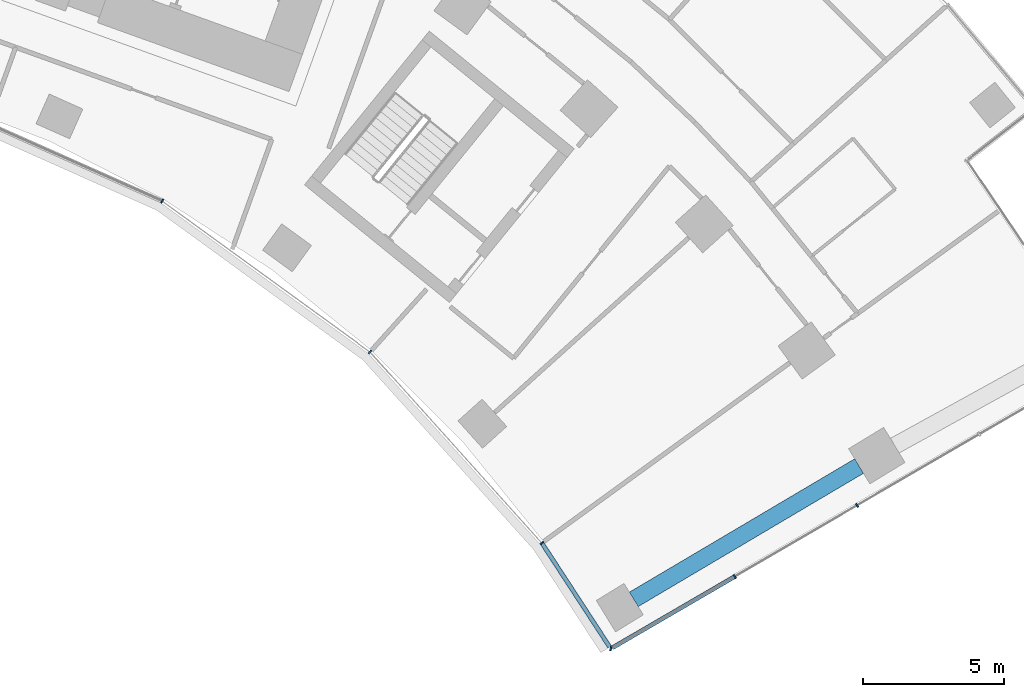
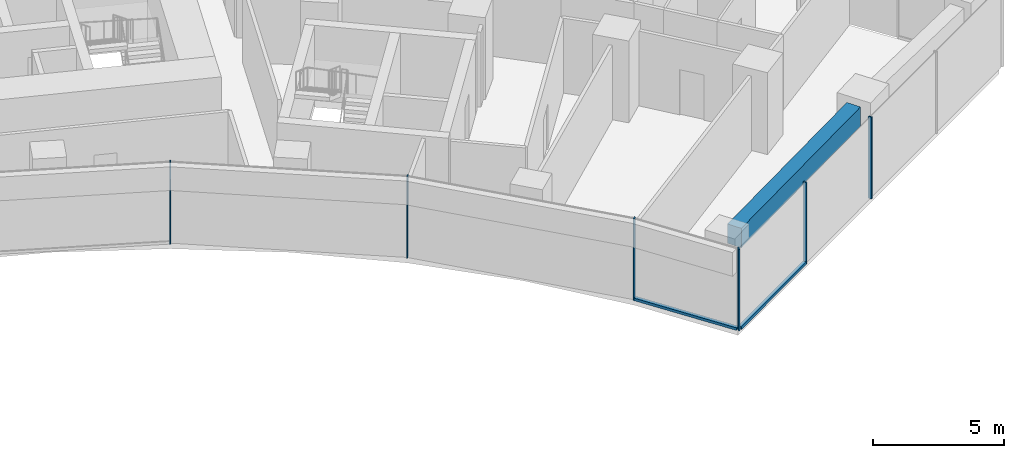
# One storey, part 7 of 20: 8 members, 1 beam, 2 elements without a shape of their own.
"""IFC4 building model written with IfcOpenShell, lengths in metres."""

import ifcopenshell
import ifcopenshell.guid

model = None  # the IFC model being written
_history = None  # IfcOwnerHistory: only IFC2X3 demands one
_inside = {}  # id of a spatial element -> (the spatial element, [elements in it])
_under = {}  # id of a project, library or spatial element -> (it, [spatial elements below it])
_declared = {}  # id of a project -> (the project, [libraries it declares])
_typed = {}  # id of a type object -> (the type object, [elements of that type])
_made_of = {}  # id of a material, layer set ... -> (it, [elements and type objects made of it])


def new_model(schema):
    """Start an empty IFC model of exactly this schema.

    Asked for "IFC4X3", IfcOpenShell would pick the latest addendum, in which some entities
    have other attributes; the version numbers below select the first issue.
    IFC2X3 requires an IfcOwnerHistory on every rooted entity: one is made here for all.
    """
    global model, _history
    if schema == "IFC4X3":
        model = ifcopenshell.file(schema_version=(4, 3, 0, 0))
    else:
        model = ifcopenshell.file(schema=schema)
    _inside.clear()
    _under.clear()
    _declared.clear()
    _typed.clear()
    _made_of.clear()
    _history = None
    if model.schema == "IFC2X3":
        org = make("IfcOrganization", Name="unknown")
        user = make(
            "IfcPersonAndOrganization",
            ThePerson=make("IfcPerson", FamilyName="unknown"),
            TheOrganization=org,
        )
        app = make(
            "IfcApplication",
            ApplicationDeveloper=org,
            Version="unknown",
            ApplicationFullName="unknown",
            ApplicationIdentifier="unknown",
        )
        _history = make(
            "IfcOwnerHistory",
            OwningUser=user,
            OwningApplication=app,
            ChangeAction="ADDED",
            CreationDate=0,
        )
    return model


def make(cls, **values):
    """One entity of the class cls with the attributes given. An attribute that is None is left unset."""
    return model.create_entity(
        cls, **{name: value for name, value in values.items() if value is not None}
    )


def rooted(cls, **values):
    """An entity with a GlobalId (a new one), such as an element, a storey or a relation."""
    return make(cls, GlobalId=ifcopenshell.guid.new(), OwnerHistory=_history, **values)


def si_unit(unit_type, name, prefix=None):
    """IfcSIUnit, for example si_unit("LENGTHUNIT", "METRE", prefix="MILLI")."""
    return make("IfcSIUnit", UnitType=unit_type, Prefix=prefix, Name=name)


def assignment(units):
    """IfcUnitAssignment: the units of a project."""
    return None if units is None else make("IfcUnitAssignment", Units=units)


def point(xyz):
    """IfcCartesianPoint."""
    return None if xyz is None else make("IfcCartesianPoint", Coordinates=xyz)


def direction(xyz):
    """IfcDirection."""
    return None if xyz is None else make("IfcDirection", DirectionRatios=xyz)


def frame(location, z_axis=None, x_axis=None):
    """IfcAxis2Placement3D, a coordinate frame: its origin and axes. An axis left out is left unset."""
    return make(
        "IfcAxis2Placement3D",
        Location=point(location),
        Axis=direction(z_axis),
        RefDirection=direction(x_axis),
    )


def frame_2d(location, x_axis=None):
    """IfcAxis2Placement2D, a coordinate frame in the plane: its origin and x axis."""
    return make(
        "IfcAxis2Placement2D", Location=point(location), RefDirection=direction(x_axis)
    )


def origin():
    """The frame at (0, 0, 0) with its axes left unset."""
    return frame((0.0, 0.0, 0.0))


def origin_2d():
    """The frame at (0, 0) in the plane with its x axis left unset."""
    return frame_2d((0.0, 0.0))


def place(relative_to, where):
    """IfcLocalPlacement: puts the frame where relative to a parent placement (None: the world)."""
    return make(
        "IfcLocalPlacement", PlacementRelTo=relative_to, RelativePlacement=where
    )


def context(
    kind, dimensions, precision=None, world=None, true_north=None, identifier=None
):
    """IfcGeometricRepresentationContext, for example the 3D "Model" context."""
    return make(
        "IfcGeometricRepresentationContext",
        ContextIdentifier=identifier,
        ContextType=kind,
        CoordinateSpaceDimension=dimensions,
        Precision=precision,
        WorldCoordinateSystem=world,
        TrueNorth=true_north,
    )


def subcontext(parent, identifier, kind, view, scale=None):
    """IfcGeometricRepresentationSubContext, for example "Body" below "Model"."""
    return make(
        "IfcGeometricRepresentationSubContext",
        ContextIdentifier=identifier,
        ContextType=kind,
        ParentContext=parent,
        TargetScale=scale,
        TargetView=view,
    )


def project(units=None, contexts=None):
    """IfcProject with its units and contexts."""
    return rooted(
        "IfcProject",
        Name="project",
        RepresentationContexts=contexts,
        UnitsInContext=assignment(units),
    )


def spatial(cls, under=None, at=None, **own):
    """A site, building, storey or space (cls), placed at a placement, below another one or the project."""
    s = rooted(cls, ObjectPlacement=at, **own)
    if under is not None:
        _under.setdefault(under.id(), (under, []))[1].append(s)
    return s


def profile(cls, at=None, kind="AREA", **sizes):
    """A parametric profile (cls). Its sizes go by their IFC names, for example OverallWidth=200.0."""
    return make(cls, ProfileType=kind, Position=at, **sizes)


def rectangle(**sizes):
    """IfcRectangleProfileDef."""
    return profile("IfcRectangleProfileDef", **sizes)


def extrude(swept, where, along, depth):
    """IfcExtrudedAreaSolid: the profile swept, set in the frame where, extruded along a direction by depth."""
    return make(
        "IfcExtrudedAreaSolid",
        SweptArea=swept,
        Position=where,
        ExtrudedDirection=direction(along),
        Depth=depth,
    )


def shape(context_of_items, identifier, shape_type, items):
    """IfcShapeRepresentation: the items that make up one representation, for example the "Body"."""
    return make(
        "IfcShapeRepresentation",
        ContextOfItems=context_of_items,
        RepresentationIdentifier=identifier,
        RepresentationType=shape_type,
        Items=items,
    )


def material(Name=None, Category=None):
    """IfcMaterial."""
    return make("IfcMaterial", Name=Name, Category=Category)


def layer(
    of_material, thickness, ventilated=None, Name=None, Category=None, Priority=None
):
    """IfcMaterialLayer: one layer of a wall or slab, of a material (None: an air gap)."""
    return make(
        "IfcMaterialLayer",
        Material=of_material,
        LayerThickness=thickness,
        IsVentilated=ventilated,
        Name=Name,
        Category=Category,
        Priority=Priority,
    )


def layer_set(layers, Name=None):
    """IfcMaterialLayerSet."""
    return make("IfcMaterialLayerSet", MaterialLayers=layers, LayerSetName=Name)


def material_profile(
    of_material, cross_section, Name=None, Category=None, Priority=None
):
    """IfcMaterialProfile: a cross section and its material."""
    return make(
        "IfcMaterialProfile",
        Name=Name,
        Material=of_material,
        Profile=cross_section,
        Priority=Priority,
        Category=Category,
    )


def profile_set(profiles, Name=None, composite=None):
    """IfcMaterialProfileSet."""
    return make(
        "IfcMaterialProfileSet",
        Name=Name,
        MaterialProfiles=profiles,
        CompositeProfile=composite,
    )


def made_of(thing, what):
    """Note that an element or type object is made of a material, layer set ...; save() writes the relation."""
    if what is not None:
        _made_of.setdefault(what.id(), (what, []))[1].append(thing)
    return thing


def type_object(cls, material=None, **own):
    """A type object (cls), such as IfcWallType, which elements share."""
    return made_of(rooted(cls, **own), material)


def element(
    cls,
    number,
    at=None,
    inside=None,
    cuts=None,
    type_object=None,
    material=None,
    context=None,
    identifier="Body",
    shape_type=None,
    held_by="IfcProductDefinitionShape",
    body=None,
    shapes=None,
    **own,
):
    """One element of the class cls, such as IfcWall. Its Tag is "e" and its number.

    at: its placement. inside: the storey or other place that contains it. cuts: it is an
    opening in that element (IfcRelVoidsElement). A single representation is given by context,
    identifier, shape_type and body (its items); several are given by shapes. held_by: the class
    of the entity that holds the representations. save() writes the other relations.
    """
    e = rooted(cls, Tag="e%d" % number, ObjectPlacement=at, **own)
    if body is not None:
        shapes = [shape(context, identifier, shape_type, body)]
    if shapes is not None:
        e.Representation = make(held_by, Representations=shapes)
    if inside is not None:
        _inside.setdefault(inside.id(), (inside, []))[1].append(e)
    if cuts is not None:
        rooted(
            "IfcRelVoidsElement", RelatingBuildingElement=cuts, RelatedOpeningElement=e
        )
    if type_object is not None:
        _typed.setdefault(type_object.id(), (type_object, []))[1].append(e)
    return made_of(e, material)


def aggregate(whole, parts):
    """IfcRelAggregates: a whole, such as a stair, and the parts it consists of."""
    return rooted("IfcRelAggregates", RelatingObject=whole, RelatedObjects=parts)


def save(model, path):
    """Write the relations noted so far, then the file.

    IfcRelAggregates (storeys below a building ...), IfcRelContainedInSpatialStructure (elements
    in a storey), IfcRelDefinesByType, IfcRelAssociatesMaterial and IfcRelDeclares: one each for
    every whole, place, type object, material and project.
    """
    for whole, parts in _under.values():
        aggregate(whole, parts)
    for where, things in _inside.values():
        rooted(
            "IfcRelContainedInSpatialStructure",
            RelatedElements=things,
            RelatingStructure=where,
        )
    for kind, things in _typed.values():
        rooted("IfcRelDefinesByType", RelatedObjects=things, RelatingType=kind)
    for what, things in _made_of.values():
        rooted("IfcRelAssociatesMaterial", RelatedObjects=things, RelatingMaterial=what)
    for by, libraries in _declared.values():
        rooted("IfcRelDeclares", RelatingContext=by, RelatedDefinitions=libraries)
    model.write(path)


model = new_model("IFC4")

# Units and contexts
model_context = context("Model", 3, precision=1e-05, world=origin(), true_north=direction((0.0, 1.0)))
body_context = subcontext(model_context, "Body", "Model", "MODEL_VIEW")
ifc_project = project(units=[si_unit("LENGTHUNIT", "METRE"), si_unit("AREAUNIT", "SQUARE_METRE"), si_unit("VOLUMEUNIT", "CUBIC_METRE"), si_unit("PLANEANGLEUNIT", "RADIAN"), si_unit("MASSUNIT", "GRAM", prefix="KILO")], contexts=[model_context])

# Site, building, storey
site_placement = place(None, origin())
site = spatial("IfcSite", under=ifc_project, at=site_placement, CompositionType="ELEMENT")
building_placement = place(site_placement, origin())
building = spatial("IfcBuilding", under=site, at=building_placement, Name="Stone Belt Terrace Tower", CompositionType="ELEMENT")
storey_placement = place(building_placement, frame((0.0, 0.0, 106.0)))
storey = spatial("IfcBuildingStorey", under=building, at=storey_placement, Name="L25", CompositionType="ELEMENT", Elevation=106.0)

# Curtain wall, members
ifc_material_1 = material(Name="Aluminium 6063-T6 anodised frame", Category="aluminium")
ifc_layer_1 = layer(ifc_material_1, 0.14990234375)
ifc_layer_set_1 = layer_set([ifc_layer_1], Name="CW-B unitised concave-face curtain wall")
curtain_wall_type_1 = type_object("IfcCurtainWallType", Name="CW-B unitised concave-face curtain wall", PredefinedType="NOTDEFINED", material=ifc_layer_set_1)
curtain_wall_1_placement = place(storey_placement, origin())
curtain_wall_1 = element("IfcCurtainWall", 1, at=curtain_wall_1_placement, inside=storey, type_object=curtain_wall_type_1, Name="CW-B concave face L25", PredefinedType="NOTDEFINED")
ifc_material_profile_1 = material_profile(ifc_material_1, rectangle(XDim=0.14990234375, YDim=0.050048828125, at=origin_2d()), Name="Aluminium 6063-T6 50x150")
ifc_profile_set_1 = profile_set([ifc_material_profile_1], Name="Aluminium 6063-T6 anodised frame")
member_type_1 = type_object("IfcMemberType", Name="CW-B mullion 50 x 150", PredefinedType="MULLION", material=ifc_profile_set_1)
member_1_placement = place(storey_placement, frame((21.71240234375, 37.606689453125, 0.0), z_axis=(0.0, 0.0, 1.0), x_axis=(0.5, 0.866025403784, 0.0)))
member_1 = element("IfcMember", 2, at=member_1_placement, type_object=member_type_1, Name="CW-B mullion 8", PredefinedType="MULLION", context=body_context, shape_type="SweptSolid", body=[
    extrude(rectangle(XDim=0.14990234375, YDim=0.050048828125, at=origin_2d()), origin(), (0.0, 0.0, 1.0), 3.800048828125),
])
member_2_placement = place(storey_placement, frame((29.056640625, 32.270751953125, 0.0), z_axis=(0.0, 0.0, 1.0), x_axis=(0.669130606359, 0.743144825477, 0.0)))
member_2 = element("IfcMember", 3, at=member_2_placement, type_object=member_type_1, Name="CW-B mullion 9", PredefinedType="MULLION", context=body_context, shape_type="SweptSolid", body=[
    extrude(rectangle(XDim=0.14990234375, YDim=0.050048828125, at=origin_2d()), origin(), (0.0, 0.0, 1.0), 3.800048828125),
])
member_3_placement = place(storey_placement, frame((35.132568359375, 25.522705078125, 0.0), z_axis=(0.0, 0.0, 1.0), x_axis=(0.792811047542, 0.609467507662, 0.0)))
member_3 = element("IfcMember", 4, at=member_3_placement, type_object=member_type_1, Name="CW-B mullion 10", PredefinedType="MULLION", context=body_context, shape_type="SweptSolid", body=[
    extrude(rectangle(XDim=0.14990234375, YDim=0.050048828125, at=origin_2d()), origin(), (0.0, 0.0, 1.0), 3.800048828125),
])
ifc_material_profile_2 = material_profile(ifc_material_1, rectangle(XDim=0.14990234375, YDim=0.1201171875, at=origin_2d()), Name="Aluminium 6063-T6 150x120")
ifc_profile_set_2 = profile_set([ifc_material_profile_2], Name="Aluminium 6063-T6 anodised frame")
member_type_2 = type_object("IfcMemberType", Name="CW-B transom 120 x 150", PredefinedType="USERDEFINED", material=ifc_profile_set_2)
member_4_placement = place(storey_placement, frame((35.1494140625, 25.4970703125, 0.06005859375), z_axis=(0.546136356084, -0.83769629375, 0.0), x_axis=(0.83769629375, 0.546136356084, 0.0)))
member_4 = element("IfcMember", 5, at=member_4_placement, type_object=member_type_2, Name="CW-B transom 10.1", ObjectType="TRANSOM", PredefinedType="USERDEFINED", context=body_context, shape_type="SweptSolid", body=[
    extrude(rectangle(XDim=0.14990234375, YDim=0.1201171875, at=origin_2d()), origin(), (0.0, 0.0, 1.0), 4.363525390625),
])
aggregate(curtain_wall_1, [member_1, member_2, member_3, member_4])

ifc_layer_2 = layer(ifc_material_1, 0.14990234375)
ifc_layer_set_2 = layer_set([ifc_layer_2], Name="CW-C stick curtain wall, horn ends and notches")
curtain_wall_type_2 = type_object("IfcCurtainWallType", Name="CW-C stick curtain wall, horn ends and notches", PredefinedType="NOTDEFINED", material=ifc_layer_set_2)
curtain_wall_2_placement = place(storey_placement, origin())
curtain_wall_2 = element("IfcCurtainWall", 6, at=curtain_wall_2_placement, inside=storey, type_object=curtain_wall_type_2, Name="CW-C end face L25", PredefinedType="NOTDEFINED")
ifc_material_profile_3 = material_profile(ifc_material_1, rectangle(XDim=0.14990234375, YDim=0.06005859375, at=origin_2d()), Name="Aluminium 6063-T6 60x150")
ifc_profile_set_3 = profile_set([ifc_material_profile_3], Name="Aluminium 6063-T6 anodised frame")
member_type_3 = type_object("IfcMemberType", Name="CW-C mullion 60 x 150", PredefinedType="MULLION", material=ifc_profile_set_3)
member_5_placement = place(storey_placement, frame((37.570556640625, 21.783447265625, 0.0), z_axis=(0.0, 0.0, 1.0), x_axis=(0.230847440535, 0.972989958426, 0.0)))
member_5 = element("IfcMember", 7, at=member_5_placement, type_object=member_type_3, Name="CW-C mullion 1", PredefinedType="MULLION", context=body_context, shape_type="SweptSolid", body=[
    extrude(rectangle(XDim=0.14990234375, YDim=0.06005859375, at=origin_2d()), origin(), (0.0, 0.0, 1.0), 3.800048828125),
])
member_6_placement = place(storey_placement, frame((41.953369140625, 24.334716796875, 0.0), z_axis=(0.0, 0.0, 1.0), x_axis=(-0.503080901861, 0.864239322284, 0.0)))
member_6 = element("IfcMember", 8, at=member_6_placement, type_object=member_type_3, Name="CW-C mullion 2", PredefinedType="MULLION", context=body_context, shape_type="SweptSolid", body=[
    extrude(rectangle(XDim=0.14990234375, YDim=0.06005859375, at=origin_2d()), origin(), (0.0, 0.0, 1.0), 3.800048828125),
])
member_7_placement = place(storey_placement, frame((46.2744140625, 26.85009765625, 0.0), z_axis=(0.0, 0.0, 1.0), x_axis=(-0.503080901861, 0.864239322284, 0.0)))
member_7 = element("IfcMember", 9, at=member_7_placement, type_object=member_type_3, Name="CW-C mullion 3", PredefinedType="MULLION", context=body_context, shape_type="SweptSolid", body=[
    extrude(rectangle(XDim=0.14990234375, YDim=0.06005859375, at=origin_2d()), origin(), (0.0, 0.0, 1.0), 3.800048828125),
])
ifc_material_profile_4 = material_profile(ifc_material_1, rectangle(XDim=0.14990234375, YDim=0.1201171875, at=origin_2d()), Name="Aluminium 6063-T6 150x120")
ifc_profile_set_4 = profile_set([ifc_material_profile_4], Name="Aluminium 6063-T6 anodised frame")
member_type_4 = type_object("IfcMemberType", Name="CW-C transom 120 x 150", PredefinedType="USERDEFINED", material=ifc_profile_set_4)
member_8_placement = place(storey_placement, frame((37.634033203125, 21.8203125, 0.06005859375), z_axis=(0.864238402529, 0.5030824819, 0.0), x_axis=(-0.5030824819, 0.864238402529, 0.0)))
member_8 = element("IfcMember", 10, at=member_8_placement, type_object=member_type_4, Name="CW-C transom 1.1", ObjectType="TRANSOM", PredefinedType="USERDEFINED", context=body_context, shape_type="SweptSolid", body=[
    extrude(rectangle(XDim=0.14990234375, YDim=0.1201171875, at=origin_2d()), origin(), (0.0, 0.0, 1.0), 4.968017578125),
])
aggregate(curtain_wall_2, [member_5, member_6, member_7, member_8])

# Beam
ifc_material_2 = material(Name="Concrete B60", Category="concrete")
ifc_material_profile_5 = material_profile(ifc_material_2, rectangle(XDim=0.60009765625, YDim=0.89990234375, at=origin_2d()), Name="RC 600x900")
ifc_profile_set_5 = profile_set([ifc_material_profile_5], Name="Concrete B60")
beam_type = type_object("IfcBeamType", Name="Edge beam RC 600x900 B60", PredefinedType="SPANDREL", material=ifc_profile_set_5)
beam_placement = place(storey_placement, frame((38.3828125, 23.52783203125, 3.030029296875), z_axis=(0.860646513691, 0.509202885372, 0.0), x_axis=(-0.509202885372, 0.860646513691, 0.0)))
element("IfcBeam", 11, at=beam_placement, inside=storey, type_object=beam_type, Name="Edge beam L25 B P to Q", PredefinedType="SPANDREL", context=body_context, shape_type="SweptSolid", body=[
    extrude(rectangle(XDim=0.60009765625, YDim=0.89990234375, at=origin_2d()), origin(), (0.0, 0.0, 1.0), 9.255859375),
])

save(model, "model.ifc")
